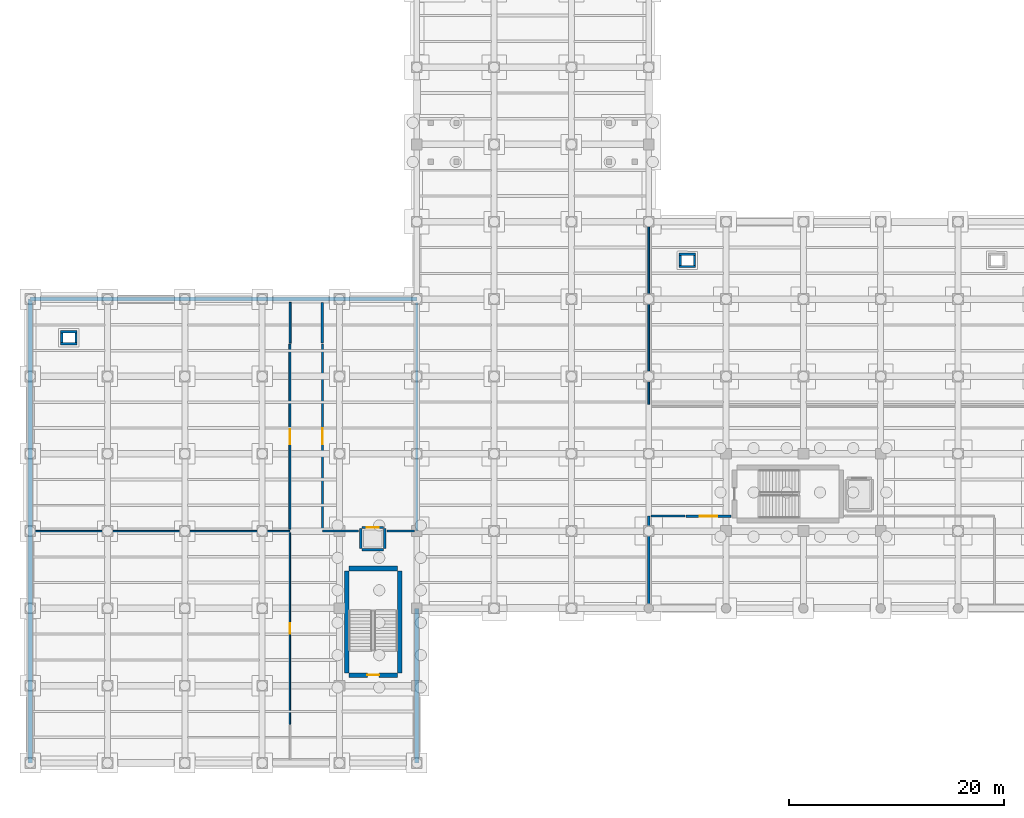
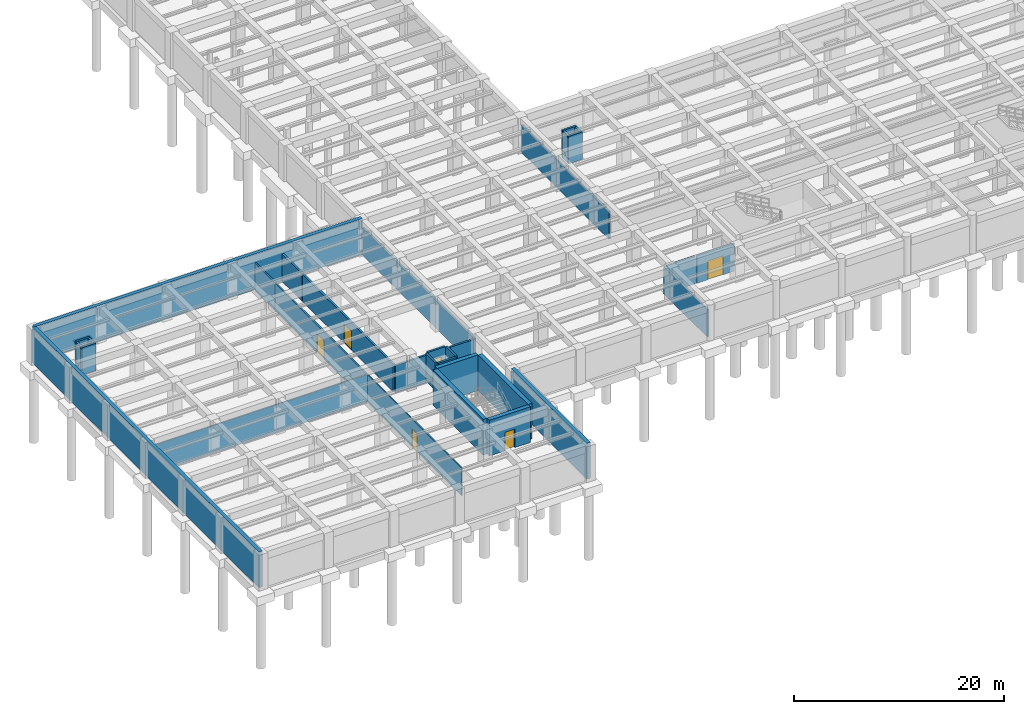
# One storey, part 16 of 34: 32 walls, 6 doors, 6 openings.
"""IFC4 building model written with IfcOpenShell, lengths in metres."""

from ifc_helpers import new_model, si_unit, direction, frame, frame_2d, origin, place, context, subcontext, project, spatial, rectangle, extrude, material, layer, layer_set, type_object, element, fill, save


model = new_model("IFC4")

# Units and contexts
model_context = context("Model", 3, precision=1e-05, world=origin(), true_north=direction((0.0, 1.0)))
body_context = subcontext(model_context, "Body", "Model", "MODEL_VIEW")
ifc_project = project(units=[si_unit("LENGTHUNIT", "METRE"), si_unit("AREAUNIT", "SQUARE_METRE"), si_unit("VOLUMEUNIT", "CUBIC_METRE"), si_unit("PLANEANGLEUNIT", "RADIAN"), si_unit("MASSUNIT", "GRAM", prefix="KILO")], contexts=[model_context])

# Site, building, storey
site_placement = place(None, origin())
site = spatial("IfcSite", under=ifc_project, at=site_placement, CompositionType="ELEMENT")
building_placement = place(site_placement, origin())
building = spatial("IfcBuilding", under=site, at=building_placement, Name="Solenvale Faculty of Natural Sciences", CompositionType="ELEMENT")
storey_placement = place(building_placement, frame((0.0, 0.0, -4.5)))
storey = spatial("IfcBuildingStorey", under=building, at=storey_placement, Name="B01", CompositionType="ELEMENT", Elevation=-4.5)

# Wall, opening, door
ifc_material_1 = material(Name="Gypsum fire-rated laboratory partition")
ifc_layer_1 = layer(ifc_material_1, 0.175048828125)
ifc_layer_set_1 = layer_set([ifc_layer_1], Name="Gypsum fire-rated laboratory partition")
wall_type_1 = type_object("IfcWallType", Name="WL-LAB-175", PredefinedType="PARTITIONING", material=ifc_layer_set_1)
wall_1_placement = place(storey_placement, frame((24.179931640625, 39.0, 0.0), z_axis=(0.0, 0.0, 1.0), x_axis=(0.0, -1.0, 0.0)))
wall_1 = element("IfcWall", 1, at=wall_1_placement, inside=storey, type_object=wall_type_1, Name="B01 Audiovisual Workshop Laboratory Partition 16", PredefinedType="PARTITIONING", context=body_context, shape_type="SweptSolid", body=[
    extrude(rectangle(XDim=17.22998046875, YDim=0.175048828125, at=frame_2d((8.614990234375, 0.0))), origin(), (0.0, 0.0, 1.0), 3.18994140625),
])
opening_1_placement = place(wall_1_placement, frame((7.925048828125, 0.0, 0.0)))
opening_1 = element("IfcOpeningElement", 2, at=opening_1_placement, cuts=wall_1, Name="Opening D-B01-04", PredefinedType="OPENING", context=body_context, shape_type="SweptSolid", body=[
    extrude(rectangle(XDim=1.3798828125, YDim=2.14990234375, at=frame_2d((0.68994140625, 1.074951171875))), frame((0.0, 0.097412109375, 0.0), z_axis=(0.0, -1.0, 0.0), x_axis=(1.0, 0.0, 0.0)), (0.0, 0.0, 1.0), 0.195068359375),
])
ifc_material_2 = material(Name="Oak acoustic timber leaf", Category="wood")
door_type_1 = type_object("IfcDoorType", Name="DR-LAB-1380x2150", OperationType="NOTDEFINED", PredefinedType="DOOR", material=ifc_material_2)
door_1_placement = place(opening_1_placement, origin())
door_1 = element("IfcDoor", 3, at=door_1_placement, inside=storey, type_object=door_type_1, Name="B01 Audiovisual Workshop Laboratory Door", OperationType="SINGLE_SWING_RIGHT", OverallHeight=2.14990234375, OverallWidth=1.3798828125, PredefinedType="DOOR", context=body_context, shape_type="SweptSolid", body=[
    extrude(rectangle(XDim=1.3798828125, YDim=2.14990234375, at=frame_2d((0.68994140625, 1.074951171875))), frame((0.0, 0.02490234375, 0.0), z_axis=(0.0, -1.0, 0.0), x_axis=(1.0, 0.0, 0.0)), (0.0, 0.0, 1.0), 0.050048828125),
])
fill(opening_1, door_1)

# Walls
wall_2_placement = place(storey_placement, frame((24.199951171875, 42.90087890625, 0.0), z_axis=(0.0, 0.0, 1.0), x_axis=(0.0, -1.0, 0.0)))
element("IfcWall", 4, at=wall_2_placement, inside=storey, type_object=wall_type_1, Name="B01 Audiovisual Workshop Laboratory Partition 20", PredefinedType="PARTITIONING", context=body_context, shape_type="SweptSolid", body=[
    extrude(rectangle(XDim=3.8017578125, YDim=0.175048828125, at=frame_2d((1.90087890625, 0.0))), origin(), (0.0, 0.0, 1.0), 3.18994140625),
])
wall_3_placement = place(storey_placement, frame((57.60009765625, 33.406982421875, 0.0), z_axis=(0.0, 0.0, 1.0), x_axis=(0.0, 1.0, 0.0)))
element("IfcWall", 5, at=wall_3_placement, inside=storey, type_object=wall_type_1, Name="B01 Geotechnical Rock Mechanics Laboratory Partition 18", PredefinedType="PARTITIONING", context=body_context, shape_type="SweptSolid", body=[
    extrude(rectangle(XDim=16.693115234375, YDim=0.175048828125, at=frame_2d((8.3466796875, 0.0))), origin(), (0.0, 0.0, 1.0), 3.18994140625),
])
ifc_layer_2 = layer(ifc_material_1, 0.2119140625)
ifc_layer_set_2 = layer_set([ifc_layer_2], Name="Gypsum fire-rated laboratory partition")
wall_type_2 = type_object("IfcWallType", Name="WL-LAB-212", PredefinedType="PARTITIONING", material=ifc_layer_set_2)
wall_4_placement = place(storey_placement, frame((30.56689453125, 21.60009765625, 0.0), z_axis=(0.0, 0.0, 1.0), x_axis=(-1.0, 0.0, 0.0)))
element("IfcWall", 6, at=wall_4_placement, inside=storey, type_object=wall_type_2, Name="B01 Instrument Calibration Laboratory Partition 36", PredefinedType="PARTITIONING", context=body_context, shape_type="SweptSolid", body=[
    extrude(rectangle(XDim=3.346923828125, YDim=0.2119140625, at=frame_2d((1.67333984375, 0.0))), origin(), (0.0, 0.0, 1.0), 3.18994140625),
])

# Wall, opening, door
wall_5_placement = place(storey_placement, frame((27.219970703125, 21.823974609375, 0.0), z_axis=(0.0, 0.0, 1.0), x_axis=(0.0, 1.0, 0.0)))
wall_5 = element("IfcWall", 7, at=wall_5_placement, inside=storey, type_object=wall_type_2, Name="B01 Instrument Calibration Laboratory Partition 37", PredefinedType="PARTITIONING", context=body_context, shape_type="SweptSolid", body=[
    extrude(rectangle(XDim=17.176025390625, YDim=0.2119140625, at=frame_2d((8.587890625, 0.0))), origin(), (0.0, 0.0, 1.0), 3.18994140625),
])
opening_2_placement = place(wall_5_placement, frame((7.847900390625, 0.0, 0.0)))
opening_2 = element("IfcOpeningElement", 8, at=opening_2_placement, cuts=wall_5, Name="Opening D-B01-05", PredefinedType="OPENING", context=body_context, shape_type="SweptSolid", body=[
    extrude(rectangle(XDim=1.47998046875, YDim=2.199951171875, at=frame_2d((0.739990234375, 1.10009765625))), frame((0.0, 0.115966796875, 0.0), z_axis=(0.0, -1.0, 0.0), x_axis=(1.0, 0.0, 0.0)), (0.0, 0.0, 1.0), 0.23193359375),
])
door_type_2 = type_object("IfcDoorType", Name="DR-LAB-1480x2200", OperationType="NOTDEFINED", PredefinedType="DOOR", material=ifc_material_2)
door_2_placement = place(opening_2_placement, origin())
door_2 = element("IfcDoor", 9, at=door_2_placement, inside=storey, type_object=door_type_2, Name="B01 Instrument Calibration Laboratory Door", OperationType="SINGLE_SWING_LEFT", OverallHeight=2.199951171875, OverallWidth=1.47998046875, PredefinedType="DOOR", context=body_context, shape_type="SweptSolid", body=[
    extrude(rectangle(XDim=1.47998046875, YDim=2.199951171875, at=frame_2d((0.739990234375, 1.10009765625))), frame((0.0, 0.02490234375, 0.0), z_axis=(0.0, -1.0, 0.0), x_axis=(1.0, 0.0, 0.0)), (0.0, 0.0, 1.0), 0.050048828125),
])
fill(opening_2, door_2)

# Walls
wall_6_placement = place(storey_placement, frame((27.199951171875, 39.117919921875, 0.0), z_axis=(0.0, 0.0, 1.0), x_axis=(0.0, 1.0, 0.0)))
element("IfcWall", 10, at=wall_6_placement, inside=storey, type_object=wall_type_2, Name="B01 Instrument Calibration Laboratory Partition 54", PredefinedType="PARTITIONING", context=body_context, shape_type="SweptSolid", body=[
    extrude(rectangle(XDim=3.76416015625, YDim=0.2119140625, at=frame_2d((1.882080078125, 0.0))), origin(), (0.0, 0.0, 1.0), 3.18994140625),
])
wall_7_placement = place(storey_placement, frame((36.0, 42.882080078125, 0.0), z_axis=(0.0, 0.0, 1.0), x_axis=(0.0, -1.0, 0.0)))
element("IfcWall", 11, at=wall_7_placement, inside=storey, type_object=wall_type_2, Name="B01 Instrument Calibration Laboratory Partition 56", PredefinedType="PARTITIONING", context=body_context, shape_type="SweptSolid", body=[
    extrude(rectangle(XDim=21.281982421875, YDim=0.2119140625, at=frame_2d((10.64111328125, 0.0))), origin(), (0.0, 0.0, 1.0), 3.18994140625),
])
wall_8_placement = place(storey_placement, frame((35.77587890625, 21.60009765625, 0.0), z_axis=(0.0, 0.0, 1.0), x_axis=(-1.0, 0.0, 0.0)))
element("IfcWall", 12, at=wall_8_placement, inside=storey, type_object=wall_type_2, Name="B01 Instrument Calibration Laboratory Partition 57", PredefinedType="PARTITIONING", context=body_context, shape_type="SweptSolid", body=[
    extrude(rectangle(XDim=2.54296875, YDim=0.2119140625, at=frame_2d((1.271484375, 0.0))), origin(), (0.0, 0.0, 1.0), 3.18994140625),
])
ifc_material_3 = material(Name="Acoustic stud gypsum partition")
ifc_layer_3 = layer(ifc_material_3, 0.139892578125)
ifc_layer_set_3 = layer_set([ifc_layer_3], Name="Acoustic stud gypsum partition")
wall_type_3 = type_object("IfcWallType", Name="WL-OFF-140", PredefinedType="PARTITIONING", material=ifc_layer_set_3)
wall_9_placement = place(storey_placement, frame((0.281982421875, 21.60009765625, 0.0), z_axis=(0.0, 0.0, 1.0), x_axis=(1.0, 0.0, 0.0)))
element("IfcWall", 13, at=wall_9_placement, inside=storey, type_object=wall_type_3, Name="B01 Lecture Hall Lower Preparation Room Partition 2", PredefinedType="PARTITIONING", context=body_context, shape_type="SweptSolid", body=[
    extrude(rectangle(XDim=23.89794921875, YDim=0.139892578125, at=frame_2d((11.948974609375, 0.0))), origin(), (0.0, 0.0, 1.0), 3.18994140625),
])

# Wall, opening, door
wall_10_placement = place(storey_placement, frame((24.179931640625, 21.447998046875, 0.0), z_axis=(0.0, 0.0, 1.0), x_axis=(0.0, -1.0, 0.0)))
wall_10 = element("IfcWall", 14, at=wall_10_placement, inside=storey, type_object=wall_type_3, Name="B01 Lecture Hall Lower Preparation Room Partition 3", PredefinedType="PARTITIONING", context=body_context, shape_type="SweptSolid", body=[
    extrude(rectangle(XDim=17.847900390625, YDim=0.139892578125, at=frame_2d((8.923828125, 0.0))), origin(), (0.0, 0.0, 1.0), 3.18994140625),
])
opening_3_placement = place(wall_10_placement, frame((8.444091796875, 0.0, 0.0)))
opening_3 = element("IfcOpeningElement", 15, at=opening_3_placement, cuts=wall_10, Name="Opening D-B01-03", PredefinedType="OPENING", context=body_context, shape_type="SweptSolid", body=[
    extrude(rectangle(XDim=0.9599609375, YDim=2.10009765625, at=frame_2d((0.47998046875, 1.050048828125))), frame((0.0, 0.079833984375, 0.0), z_axis=(0.0, -1.0, 0.0), x_axis=(1.0, 0.0, 0.0)), (0.0, 0.0, 1.0), 0.159912109375),
])
door_type_3 = type_object("IfcDoorType", Name="DR-OFF-0960x2100", OperationType="NOTDEFINED", PredefinedType="DOOR", material=ifc_material_2)
door_3_placement = place(opening_3_placement, origin())
door_3 = element("IfcDoor", 16, at=door_3_placement, inside=storey, type_object=door_type_3, Name="B01 Lecture Hall Lower Preparation Room Door", OperationType="SINGLE_SWING_LEFT", OverallHeight=2.10009765625, OverallWidth=0.9599609375, PredefinedType="DOOR", context=body_context, shape_type="SweptSolid", body=[
    extrude(rectangle(XDim=0.9599609375, YDim=2.10009765625, at=frame_2d((0.47998046875, 1.050048828125))), frame((0.0, 0.02490234375, 0.0), z_axis=(0.0, -1.0, 0.0), x_axis=(1.0, 0.0, 0.0)), (0.0, 0.0, 1.0), 0.050048828125),
])
fill(opening_3, door_3)

# Walls
ifc_material_4 = material(Name="Concrete 40 MPa", Category="concrete")
ifc_layer_4 = layer(ifc_material_4, 0.39990234375)
ifc_layer_set_4 = layer_set([ifc_layer_4], Name="Concrete 40 MPa")
wall_type_4 = type_object("IfcWallType", Name="WL-RET-400", PredefinedType="SOLIDWALL", material=ifc_layer_set_4)
wall_11_placement = place(storey_placement, frame((0.0, 43.199951171875, 0.0), z_axis=(0.0, 0.0, 1.0), x_axis=(1.0, 0.0, 0.0)))
element("IfcWall", 17, at=wall_11_placement, inside=storey, type_object=wall_type_4, Name="B01 Escarpment Retaining Wall 1", PredefinedType="SOLIDWALL", context=body_context, shape_type="SweptSolid", body=[
    extrude(rectangle(XDim=36.0, YDim=0.39990234375, at=frame_2d((18.0, 0.0))), origin(), (0.0, 0.0, 1.0), 4.14990234375),
])
wall_12_placement = place(storey_placement, frame((36.0, 14.39990234375, 0.0), z_axis=(0.0, 0.0, 1.0), x_axis=(0.0, -1.0, 0.0)))
element("IfcWall", 18, at=wall_12_placement, inside=storey, type_object=wall_type_4, Name="B01 Escarpment Retaining Wall 20", PredefinedType="SOLIDWALL", context=body_context, shape_type="SweptSolid", body=[
    extrude(rectangle(XDim=14.39990234375, YDim=0.39990234375, at=frame_2d((7.199951171875, 0.0))), origin(), (0.0, 0.0, 1.0), 4.14990234375),
])
wall_13_placement = place(storey_placement, frame((0.0, 0.0, 0.0), z_axis=(0.0, 0.0, 1.0), x_axis=(0.0, 1.0, 0.0)))
element("IfcWall", 19, at=wall_13_placement, inside=storey, type_object=wall_type_4, Name="B01 Escarpment Retaining Wall 22", PredefinedType="SOLIDWALL", context=body_context, shape_type="SweptSolid", body=[
    extrude(rectangle(XDim=43.199951171875, YDim=0.39990234375, at=frame_2d((21.60009765625, 0.0))), origin(), (0.0, 0.0, 1.0), 4.14990234375),
])
ifc_layer_5 = layer(ifc_material_4, 0.219970703125)
ifc_layer_set_5 = layer_set([ifc_layer_5], Name="Concrete 40 MPa")
wall_type_5 = type_object("IfcWallType", Name="WL-SHF-220", PredefinedType="STANDARD", material=ifc_layer_set_5)
wall_14_placement = place(storey_placement, frame((30.905029296875, 19.8701171875, 0.0), z_axis=(0.0, 0.0, 1.0), x_axis=(1.0, 0.0, 0.0)))
element("IfcWall", 20, at=wall_14_placement, inside=storey, type_object=wall_type_5, Name="Elevator LP-01 B01 Shaft Wall S", PredefinedType="STANDARD", context=body_context, shape_type="SweptSolid", body=[
    extrude(rectangle(XDim=1.989990234375, YDim=0.219970703125, at=frame_2d((0.9951171875, 0.0))), origin(), (0.0, 0.0, 1.0), 3.18994140625),
])

# Wall, opening, door
wall_15_placement = place(storey_placement, frame((30.905029296875, 21.929931640625, 0.0), z_axis=(0.0, 0.0, 1.0), x_axis=(1.0, 0.0, 0.0)))
wall_15 = element("IfcWall", 21, at=wall_15_placement, inside=storey, type_object=wall_type_5, Name="Elevator LP-01 B01 Shaft Wall N", PredefinedType="STANDARD", context=body_context, shape_type="SweptSolid", body=[
    extrude(rectangle(XDim=1.989990234375, YDim=0.219970703125, at=frame_2d((0.9951171875, 0.0))), origin(), (0.0, 0.0, 1.0), 3.18994140625),
])
opening_4_placement = place(wall_15_placement, frame((0.445068359375, 0.0, 0.0)))
opening_4 = element("IfcOpeningElement", 22, at=opening_4_placement, cuts=wall_15, Name="Opening LD-LP-01-B01", PredefinedType="OPENING", context=body_context, shape_type="SweptSolid", body=[
    extrude(rectangle(XDim=1.10009765625, YDim=2.14990234375, at=frame_2d((0.550048828125, 1.074951171875))), frame((0.0, 0.119873046875, 0.0), z_axis=(0.0, -1.0, 0.0), x_axis=(1.0, 0.0, 0.0)), (0.0, 0.0, 1.0), 0.239990234375),
])
ifc_material_5 = material(Name="Stainless steel Grade 304", Category="steel")
door_type_4 = type_object("IfcDoorType", Name="DR-LIFT-1100x2150", OperationType="NOTDEFINED", PredefinedType="DOOR", material=ifc_material_5)
door_4_placement = place(opening_4_placement, origin())
door_4 = element("IfcDoor", 23, at=door_4_placement, inside=storey, type_object=door_type_4, Name="Elevator LP-01 B01 Sliding Landing Door", OperationType="SLIDING_TO_LEFT", OverallHeight=2.14990234375, OverallWidth=1.10009765625, PredefinedType="DOOR", context=body_context, shape_type="SweptSolid", body=[
    extrude(rectangle(XDim=1.10009765625, YDim=2.14990234375, at=frame_2d((0.550048828125, 1.074951171875))), frame((0.0, 0.02490234375, 0.0), z_axis=(0.0, -1.0, 0.0), x_axis=(1.0, 0.0, 0.0)), (0.0, 0.0, 1.0), 0.050048828125),
])
fill(opening_4, door_4)

# Walls
for number, where, z_axis, x_axis, name in (
    (24, (30.794921875, 19.97998046875, 0.0), (0.0, 0.0, 1.0), (0.0, 1.0, 0.0), "Elevator LP-01 B01 Shaft Wall W"),
    (25, (33.0048828125, 19.97998046875, 0.0), (0.0, 0.0, 1.0), (0.0, 1.0, 0.0), "Elevator LP-01 B01 Shaft Wall E"),
):
    element("IfcWall", number, at=place(storey_placement, frame(where, z_axis=z_axis, x_axis=x_axis)), inside=storey, type_object=wall_type_5, Name=name, PredefinedType="STANDARD", context=body_context, shape_type="SweptSolid", body=[
        extrude(rectangle(XDim=1.840087890625, YDim=0.219970703125, at=frame_2d((0.919921875, 0.0))), origin(), (0.0, 0.0, 1.0), 3.18994140625),
    ])
for number, where, z_axis, x_axis, name in (
    (26, (2.830078125, 39.0400390625, 0.0), (0.0, 0.0, 1.0), (1.0, 0.0, 0.0), "B01 Service Riser Shaft 1 Wall S"),
    (27, (2.830078125, 40.159912109375, 0.0), (0.0, 0.0, 1.0), (1.0, 0.0, 0.0), "B01 Service Riser Shaft 1 Wall N"),
):
    element("IfcWall", number, at=place(storey_placement, frame(where, z_axis=z_axis, x_axis=x_axis)), inside=storey, type_object=wall_type_5, Name=name, PredefinedType="STANDARD", context=body_context, shape_type="SweptSolid", body=[
        extrude(rectangle(XDim=1.5400390625, YDim=0.219970703125, at=frame_2d((0.77001953125, 0.0))), origin(), (0.0, 0.0, 1.0), 3.18994140625),
    ])
for number, where, z_axis, x_axis, name in (
    (28, (2.93994140625, 39.14990234375, 0.0), (0.0, 0.0, 1.0), (0.0, 1.0, 0.0), "B01 Service Riser Shaft 1 Wall W"),
    (29, (4.260009765625, 39.14990234375, 0.0), (0.0, 0.0, 1.0), (0.0, 1.0, 0.0), "B01 Service Riser Shaft 1 Wall E"),
):
    element("IfcWall", number, at=place(storey_placement, frame(where, z_axis=z_axis, x_axis=x_axis)), inside=storey, type_object=wall_type_5, Name=name, PredefinedType="STANDARD", context=body_context, shape_type="SweptSolid", body=[
        extrude(rectangle(XDim=0.900146484375, YDim=0.219970703125, at=frame_2d((0.4501953125, 0.0))), origin(), (0.0, 0.0, 1.0), 3.18994140625),
    ])
for number, where, z_axis, x_axis, name in (
    (30, (60.429931640625, 46.239990234375, 0.0), (0.0, 0.0, 1.0), (1.0, 0.0, 0.0), "B01 Service Riser Shaft 4 Wall S"),
    (31, (60.429931640625, 47.360107421875, 0.0), (0.0, 0.0, 1.0), (1.0, 0.0, 0.0), "B01 Service Riser Shaft 4 Wall N"),
):
    element("IfcWall", number, at=place(storey_placement, frame(where, z_axis=z_axis, x_axis=x_axis)), inside=storey, type_object=wall_type_5, Name=name, PredefinedType="STANDARD", context=body_context, shape_type="SweptSolid", body=[
        extrude(rectangle(XDim=1.5400390625, YDim=0.219970703125, at=frame_2d((0.77001953125, 0.0))), origin(), (0.0, 0.0, 1.0), 3.18994140625),
    ])
for number, where, z_axis, x_axis, name in (
    (32, (60.5400390625, 46.35009765625, 0.0), (0.0, 0.0, 1.0), (0.0, 1.0, 0.0), "B01 Service Riser Shaft 4 Wall W"),
    (33, (61.860107421875, 46.35009765625, 0.0), (0.0, 0.0, 1.0), (0.0, 1.0, 0.0), "B01 Service Riser Shaft 4 Wall E"),
):
    element("IfcWall", number, at=place(storey_placement, frame(where, z_axis=z_axis, x_axis=x_axis)), inside=storey, type_object=wall_type_5, Name=name, PredefinedType="STANDARD", context=body_context, shape_type="SweptSolid", body=[
        extrude(rectangle(XDim=0.89990234375, YDim=0.219970703125, at=frame_2d((0.449951171875, 0.0))), origin(), (0.0, 0.0, 1.0), 3.18994140625),
    ])

# Wall, opening, door
ifc_material_6 = material(Name="Concrete 50 MPa", Category="concrete")
ifc_layer_6 = layer(ifc_material_6, 0.43994140625)
ifc_layer_set_6 = layer_set([ifc_layer_6], Name="Concrete 50 MPa")
wall_type_6 = type_object("IfcWallType", Name="WL-SHR-440", PredefinedType="SHEAR", material=ifc_layer_set_6)
wall_16_placement = place(storey_placement, frame((29.699951171875, 8.179931640625, 0.0), z_axis=(0.0, 0.0, 1.0), x_axis=(1.0, 0.0, 0.0)))
wall_16 = element("IfcWall", 34, at=wall_16_placement, inside=storey, type_object=wall_type_6, Name="Core C1 B01 Shear Wall S", PredefinedType="SHEAR", context=body_context, shape_type="SweptSolid", body=[
    extrude(rectangle(XDim=4.5, YDim=0.43994140625, at=frame_2d((2.25, 0.0))), origin(), (0.0, 0.0, 1.0), 4.14990234375),
])
opening_5_placement = place(wall_16_placement, frame((1.699951171875, 0.0, 0.0)))
opening_5 = element("IfcOpeningElement", 35, at=opening_5_placement, cuts=wall_16, Name="Opening DS-C1-B01", PredefinedType="OPENING", context=body_context, shape_type="SweptSolid", body=[
    extrude(rectangle(XDim=1.10009765625, YDim=2.14990234375, at=frame_2d((0.550048828125, 1.074951171875))), frame((0.0, 0.22998046875, 0.0), z_axis=(0.0, -1.0, 0.0), x_axis=(1.0, 0.0, 0.0)), (0.0, 0.0, 1.0), 0.4599609375),
])
ifc_material_7 = material(Name="Galvanised steel S355", Category="steel")
door_type_5 = type_object("IfcDoorType", Name="DR-STAIR-1100x2150", OperationType="NOTDEFINED", PredefinedType="DOOR", material=ifc_material_7)
door_5_placement = place(opening_5_placement, origin())
door_5 = element("IfcDoor", 36, at=door_5_placement, inside=storey, type_object=door_type_5, Name="B01 Stair ST-01 Fire Door", OperationType="SINGLE_SWING_LEFT", OverallHeight=2.14990234375, OverallWidth=1.10009765625, PredefinedType="DOOR", context=body_context, shape_type="SweptSolid", body=[
    extrude(rectangle(XDim=1.10009765625, YDim=2.14990234375, at=frame_2d((0.550048828125, 1.074951171875))), frame((0.0, 0.02490234375, 0.0), z_axis=(0.0, -1.0, 0.0), x_axis=(1.0, 0.0, 0.0)), (0.0, 0.0, 1.0), 0.050048828125),
])
fill(opening_5, door_5)

# Walls
wall_17_placement = place(storey_placement, frame((29.699951171875, 18.1201171875, 0.0), z_axis=(0.0, 0.0, 1.0), x_axis=(1.0, 0.0, 0.0)))
element("IfcWall", 37, at=wall_17_placement, inside=storey, type_object=wall_type_6, Name="Core C1 B01 Shear Wall N", PredefinedType="SHEAR", context=body_context, shape_type="SweptSolid", body=[
    extrude(rectangle(XDim=4.5, YDim=0.43994140625, at=frame_2d((2.25, 0.0))), origin(), (0.0, 0.0, 1.0), 4.14990234375),
])
for number, where, z_axis, x_axis, name in (
    (38, (29.47998046875, 8.39990234375, 0.0), (0.0, 0.0, 1.0), (0.0, 1.0, 0.0), "Core C1 B01 Shear Wall W"),
    (39, (34.419921875, 8.39990234375, 0.0), (0.0, 0.0, 1.0), (0.0, 1.0, 0.0), "Core C1 B01 Shear Wall E"),
):
    element("IfcWall", number, at=place(storey_placement, frame(where, z_axis=z_axis, x_axis=x_axis)), inside=storey, type_object=wall_type_6, Name=name, PredefinedType="SHEAR", context=body_context, shape_type="SweptSolid", body=[
        extrude(rectangle(XDim=9.5, YDim=0.43994140625, at=frame_2d((4.75, 0.0))), origin(), (0.0, 0.0, 1.0), 4.14990234375),
    ])
ifc_material_8 = material(Name="Concrete masonry 20 MPa", Category="masonry")
ifc_layer_7 = layer(ifc_material_8, 0.195068359375)
ifc_layer_set_7 = layer_set([ifc_layer_7], Name="Concrete masonry 20 MPa")
wall_type_7 = type_object("IfcWallType", Name="WL-STR-195", PredefinedType="PARTITIONING", material=ifc_layer_set_7)
wall_18_placement = place(storey_placement, frame((57.60009765625, 14.7099609375, 0.0), z_axis=(0.0, 0.0, 1.0), x_axis=(0.0, 1.0, 0.0)))
element("IfcWall", 40, at=wall_18_placement, inside=storey, type_object=wall_type_7, Name="B01 Chemical and Solvent Store Partition 1", PredefinedType="PARTITIONING", context=body_context, shape_type="SweptSolid", body=[
    extrude(rectangle(XDim=8.2900390625, YDim=0.195068359375, at=frame_2d((4.14501953125, 0.0))), origin(), (0.0, 0.0, 1.0), 3.18994140625),
])
wall_19_placement = place(storey_placement, frame((57.806884765625, 23.0, 0.0), z_axis=(0.0, 0.0, 1.0), x_axis=(1.0, 0.0, 0.0)))
element("IfcWall", 41, at=wall_19_placement, inside=storey, type_object=wall_type_7, Name="B01 Chemical and Solvent Store Partition 2", PredefinedType="PARTITIONING", context=body_context, shape_type="SweptSolid", body=[
    extrude(rectangle(XDim=3.173095703125, YDim=0.195068359375, at=frame_2d((1.58642578125, 0.0))), origin(), (0.0, 0.0, 1.0), 3.18994140625),
])

# Wall, opening, door
wall_20_placement = place(storey_placement, frame((61.089111328125, 22.97998046875, 0.0), z_axis=(0.0, 0.0, 1.0), x_axis=(1.0, 0.0, 0.0)))
wall_20 = element("IfcWall", 42, at=wall_20_placement, inside=storey, type_object=wall_type_7, Name="B01 Chemical and Solvent Store Partition 19", PredefinedType="PARTITIONING", context=body_context, shape_type="SweptSolid", body=[
    extrude(rectangle(XDim=4.161865234375, YDim=0.195068359375, at=frame_2d((2.0810546875, 0.0))), origin(), (0.0, 0.0, 1.0), 3.18994140625),
])
opening_6_placement = place(wall_20_placement, frame((1.256103515625, 0.0, 0.0)))
opening_6 = element("IfcOpeningElement", 43, at=opening_6_placement, cuts=wall_20, Name="Opening D-B01-06", PredefinedType="OPENING", context=body_context, shape_type="SweptSolid", body=[
    extrude(rectangle(XDim=1.64990234375, YDim=2.199951171875, at=frame_2d((0.824951171875, 1.10009765625))), frame((0.0, 0.107421875, 0.0), z_axis=(0.0, -1.0, 0.0), x_axis=(1.0, 0.0, 0.0)), (0.0, 0.0, 1.0), 0.215087890625),
])
door_type_6 = type_object("IfcDoorType", Name="DR-PLT-1650x2200", OperationType="NOTDEFINED", PredefinedType="DOOR", material=ifc_material_7)
door_6_placement = place(opening_6_placement, origin())
door_6 = element("IfcDoor", 44, at=door_6_placement, inside=storey, type_object=door_type_6, Name="B01 Chemical and Solvent Store Door", OperationType="SINGLE_SWING_RIGHT", OverallHeight=2.199951171875, OverallWidth=1.64990234375, PredefinedType="DOOR", context=body_context, shape_type="SweptSolid", body=[
    extrude(rectangle(XDim=1.64990234375, YDim=2.199951171875, at=frame_2d((0.824951171875, 1.10009765625))), frame((0.0, 0.02490234375, 0.0), z_axis=(0.0, -1.0, 0.0), x_axis=(1.0, 0.0, 0.0)), (0.0, 0.0, 1.0), 0.050048828125),
])
fill(opening_6, door_6)

save(model, "model.ifc")
